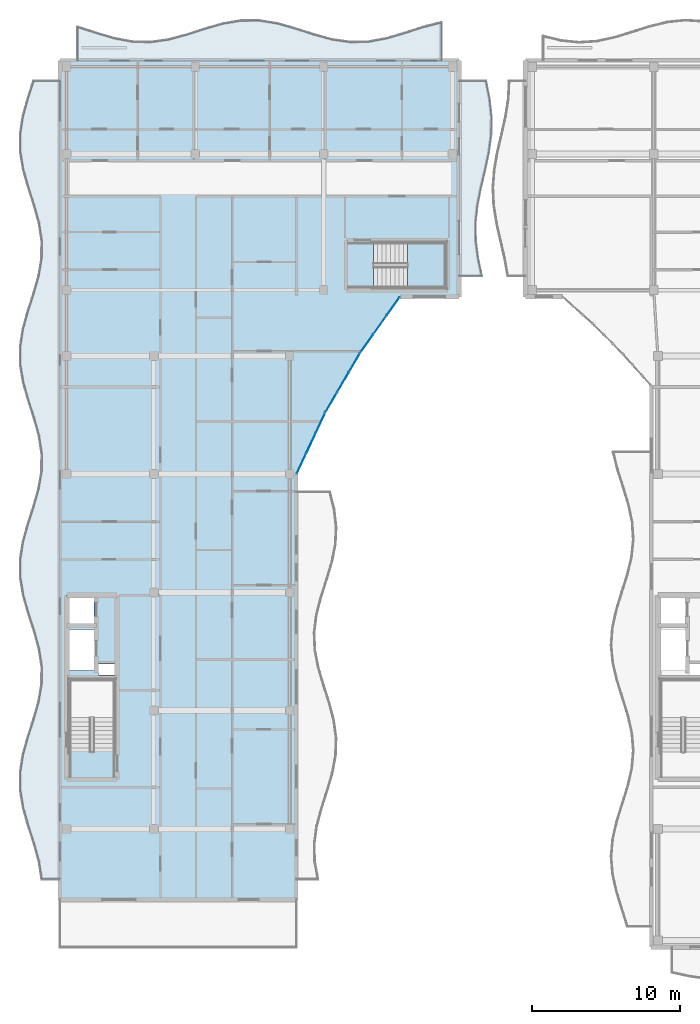
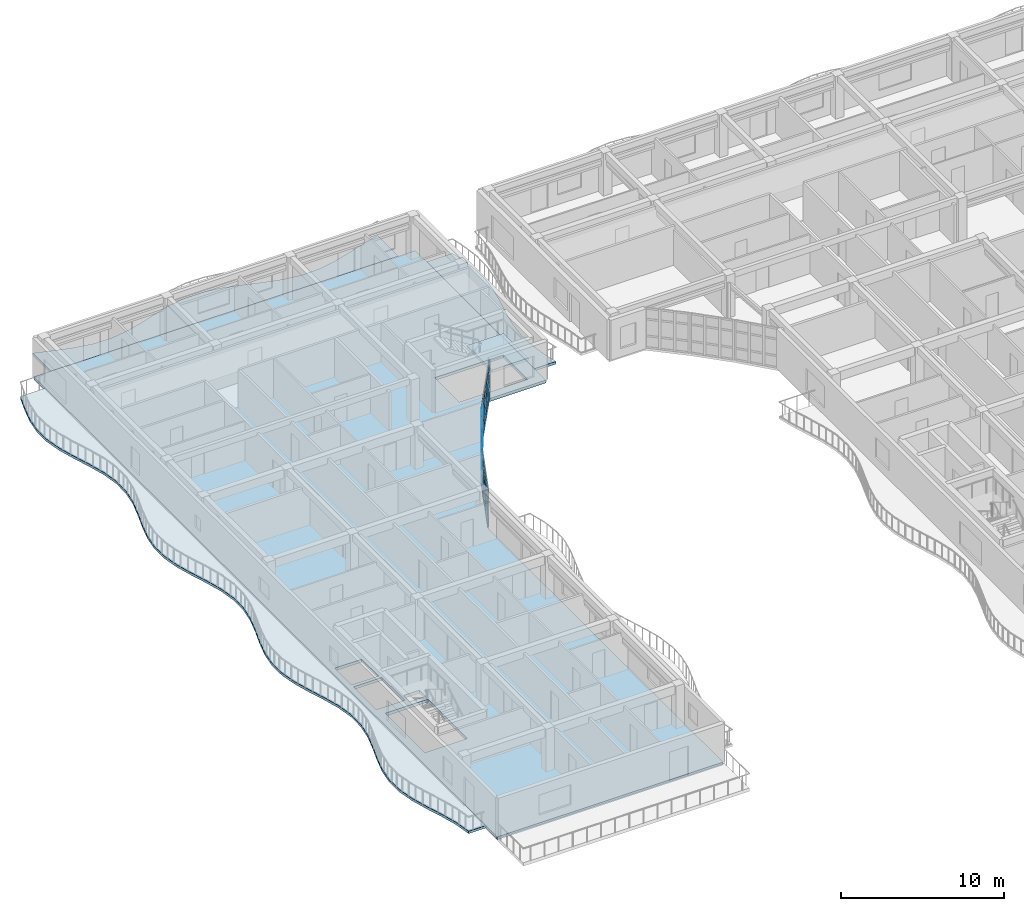
# One storey, part 23 of 72: 27 plates, 5 slabs, 4 elements without a shape of their own.
"""IFC4 building model written with IfcOpenShell, lengths in metres."""

from ifc_helpers import new_model, si_unit, direction, frame, origin, origin_2d, place, context, subcontext, project, spatial, polyline, rectangle, outline, extrude, material, layer, layer_set, type_object, element, aggregate, save


model = new_model("IFC4")

# Units and contexts
model_context = context("Model", 3, precision=1e-05, world=origin(), true_north=direction((0.0, 1.0)))
body_context = subcontext(model_context, "Body", "Model", "MODEL_VIEW")
ifc_project = project(units=[si_unit("LENGTHUNIT", "METRE"), si_unit("AREAUNIT", "SQUARE_METRE"), si_unit("VOLUMEUNIT", "CUBIC_METRE"), si_unit("PLANEANGLEUNIT", "RADIAN"), si_unit("MASSUNIT", "GRAM", prefix="KILO")], contexts=[model_context])

# Site, building, storey
site_placement = place(None, origin())
site = spatial("IfcSite", under=ifc_project, at=site_placement, CompositionType="ELEMENT")
building_placement = place(site_placement, origin())
building = spatial("IfcBuilding", under=site, at=building_placement, Name="Keldmere Railside Commons", CompositionType="ELEMENT")
storey_placement = place(building_placement, frame((0.0, 0.0, 16.9599609375)))
storey = spatial("IfcBuildingStorey", under=building, at=storey_placement, Name="L05", CompositionType="ELEMENT", Elevation=16.9599609375)

# Curtain wall, plates
ifc_material_1 = material(Name="Thermally Broken Aluminium", Category="aluminium")
ifc_layer_1 = layer(ifc_material_1, 0.159912109375, Name="Court Chord Wintergarden CW 4800x2850")
ifc_layer_set_1 = layer_set([ifc_layer_1], Name="Thermally Broken Aluminium")
curtain_wall_type_1 = type_object("IfcCurtainWallType", Name="Court Chord Wintergarden CW 4800x2850", PredefinedType="NOTDEFINED", material=ifc_layer_set_1)
curtain_wall_1_placement = place(storey_placement, origin())
curtain_wall_1 = element("IfcCurtainWall", 1, at=curtain_wall_1_placement, inside=storey, type_object=curtain_wall_type_1, Name="CW-12 CW-L05-016", PredefinedType="NOTDEFINED")
ifc_material_2 = material(Name="Low-E Insulated Double Glazing", Category="glass")
ifc_layer_2 = layer(ifc_material_2, 0.033935546875, Name="Acoustic Laminated Vision Panel 34")
ifc_layer_set_2 = layer_set([ifc_layer_2], Name="Low-E Insulated Double Glazing")
plate_type_1 = type_object("IfcPlateType", Name="Acoustic Laminated Vision Panel 34", PredefinedType="CURTAIN_PANEL", material=ifc_layer_set_2)
plate_1_placement = place(storey_placement, frame((25.636474609375, 91.48779296875, 0.06494140625), z_axis=(0.0, 0.0, 1.0), x_axis=(-0.424759442264, -0.905306255478, 0.0)))
plate_1 = element("IfcPlate", 2, at=plate_1_placement, type_object=plate_type_1, Name="CW-12 panel 1.1", PredefinedType="CURTAIN_PANEL", context=body_context, shape_type="SweptSolid", body=[
    extrude(rectangle(XDim=1.449951171875, YDim=0.033935546875, at=origin_2d()), origin(), (0.0, 0.0, 1.0), 0.802490234375),
])
plate_2_placement = place(storey_placement, frame((25.636474609375, 91.48779296875, 0.9326171875), z_axis=(0.0, 0.0, 1.0), x_axis=(-0.424759442264, -0.905306255478, 0.0)))
plate_2 = element("IfcPlate", 3, at=plate_2_placement, type_object=plate_type_1, Name="CW-12 panel 1.2", PredefinedType="CURTAIN_PANEL", context=body_context, shape_type="SweptSolid", body=[
    extrude(rectangle(XDim=1.449951171875, YDim=0.033935546875, at=origin_2d()), origin(), (0.0, 0.0, 1.0), 1.18505859375),
])
plate_3_placement = place(storey_placement, frame((25.636474609375, 91.48779296875, 2.1826171875), z_axis=(0.0, 0.0, 1.0), x_axis=(-0.424759442264, -0.905306255478, 0.0)))
plate_3 = element("IfcPlate", 4, at=plate_3_placement, type_object=plate_type_1, Name="CW-12 panel 1.3", PredefinedType="CURTAIN_PANEL", context=body_context, shape_type="SweptSolid", body=[
    extrude(rectangle(XDim=1.449951171875, YDim=0.033935546875, at=origin_2d()), origin(), (0.0, 0.0, 1.0), 0.732421875),
])
plate_4_placement = place(storey_placement, frame((24.986083984375, 90.1015625, 0.06494140625), z_axis=(0.0, 0.0, 1.0), x_axis=(-0.424759442264, -0.905306255478, 0.0)))
plate_4 = element("IfcPlate", 5, at=plate_4_placement, type_object=plate_type_1, Name="CW-12 panel 2.1", PredefinedType="CURTAIN_PANEL", context=body_context, shape_type="SweptSolid", body=[
    extrude(rectangle(XDim=1.482421875, YDim=0.033935546875, at=origin_2d()), origin(), (0.0, 0.0, 1.0), 0.802490234375),
])
plate_5_placement = place(storey_placement, frame((24.986083984375, 90.1015625, 0.9326171875), z_axis=(0.0, 0.0, 1.0), x_axis=(-0.424759442264, -0.905306255478, 0.0)))
plate_5 = element("IfcPlate", 6, at=plate_5_placement, type_object=plate_type_1, Name="CW-12 panel 2.2", PredefinedType="CURTAIN_PANEL", context=body_context, shape_type="SweptSolid", body=[
    extrude(rectangle(XDim=1.482421875, YDim=0.033935546875, at=origin_2d()), origin(), (0.0, 0.0, 1.0), 1.18505859375),
])
plate_6_placement = place(storey_placement, frame((24.986083984375, 90.1015625, 2.1826171875), z_axis=(0.0, 0.0, 1.0), x_axis=(-0.424759442264, -0.905306255478, 0.0)))
plate_6 = element("IfcPlate", 7, at=plate_6_placement, type_object=plate_type_1, Name="CW-12 panel 2.3", PredefinedType="CURTAIN_PANEL", context=body_context, shape_type="SweptSolid", body=[
    extrude(rectangle(XDim=1.482421875, YDim=0.033935546875, at=origin_2d()), origin(), (0.0, 0.0, 1.0), 0.732421875),
])
plate_7_placement = place(storey_placement, frame((24.33544921875, 88.71533203125, 0.06494140625), z_axis=(0.0, 0.0, 1.0), x_axis=(-0.424759442264, -0.905306255478, 0.0)))
plate_7 = element("IfcPlate", 8, at=plate_7_placement, type_object=plate_type_1, Name="CW-12 panel 3.1", PredefinedType="CURTAIN_PANEL", context=body_context, shape_type="SweptSolid", body=[
    extrude(rectangle(XDim=1.449951171875, YDim=0.033935546875, at=origin_2d()), origin(), (0.0, 0.0, 1.0), 0.802490234375),
])
plate_8_placement = place(storey_placement, frame((24.33544921875, 88.71533203125, 0.9326171875), z_axis=(0.0, 0.0, 1.0), x_axis=(-0.424759442264, -0.905306255478, 0.0)))
plate_8 = element("IfcPlate", 9, at=plate_8_placement, type_object=plate_type_1, Name="CW-12 panel 3.2", PredefinedType="CURTAIN_PANEL", context=body_context, shape_type="SweptSolid", body=[
    extrude(rectangle(XDim=1.449951171875, YDim=0.033935546875, at=origin_2d()), origin(), (0.0, 0.0, 1.0), 1.18505859375),
])
plate_9_placement = place(storey_placement, frame((24.33544921875, 88.71533203125, 2.1826171875), z_axis=(0.0, 0.0, 1.0), x_axis=(-0.424759442264, -0.905306255478, 0.0)))
plate_9 = element("IfcPlate", 10, at=plate_9_placement, type_object=plate_type_1, Name="CW-12 panel 3.3", PredefinedType="CURTAIN_PANEL", context=body_context, shape_type="SweptSolid", body=[
    extrude(rectangle(XDim=1.449951171875, YDim=0.033935546875, at=origin_2d()), origin(), (0.0, 0.0, 1.0), 0.732421875),
])
aggregate(curtain_wall_1, [plate_1, plate_2, plate_3, plate_4, plate_5, plate_6, plate_7, plate_8, plate_9])

ifc_layer_3 = layer(ifc_material_1, 0.159912109375, Name="Court Chord Wintergarden CW 5400x2850")
ifc_layer_set_3 = layer_set([ifc_layer_3], Name="Thermally Broken Aluminium")
curtain_wall_type_2 = type_object("IfcCurtainWallType", Name="Court Chord Wintergarden CW 5400x2850", PredefinedType="NOTDEFINED", material=ifc_layer_set_3)
curtain_wall_2_placement = place(storey_placement, origin())
curtain_wall_2 = element("IfcCurtainWall", 11, at=curtain_wall_2_placement, inside=storey, type_object=curtain_wall_type_2, Name="CW-13 CW-L05-017", PredefinedType="NOTDEFINED")
ifc_layer_4 = layer(ifc_material_2, 0.031982421875, Name="Clerestory Solar-Control Vision Panel 32")
ifc_layer_set_4 = layer_set([ifc_layer_4], Name="Low-E Insulated Double Glazing")
plate_type_2 = type_object("IfcPlateType", Name="Clerestory Solar-Control Vision Panel 32", PredefinedType="CURTAIN_PANEL", material=ifc_layer_set_4)
plate_10_placement = place(storey_placement, frame((27.913818359375, 95.531494140625, 0.06494140625), z_axis=(0.0, 0.0, 1.0), x_axis=(-0.503911193272, -0.86375546846, 0.0)))
plate_10 = element("IfcPlate", 12, at=plate_10_placement, type_object=plate_type_2, Name="CW-13 panel 1.1", PredefinedType="CURTAIN_PANEL", context=body_context, shape_type="SweptSolid", body=[
    extrude(rectangle(XDim=1.450439453125, YDim=0.031982421875, at=origin_2d()), origin(), (0.0, 0.0, 1.0), 0.802490234375),
])
plate_11_placement = place(storey_placement, frame((27.913818359375, 95.531494140625, 0.9326171875), z_axis=(0.0, 0.0, 1.0), x_axis=(-0.503911193272, -0.86375546846, 0.0)))
plate_11 = element("IfcPlate", 13, at=plate_11_placement, type_object=plate_type_2, Name="CW-13 panel 1.2", PredefinedType="CURTAIN_PANEL", context=body_context, shape_type="SweptSolid", body=[
    extrude(rectangle(XDim=1.450439453125, YDim=0.031982421875, at=origin_2d()), origin(), (0.0, 0.0, 1.0), 1.18505859375),
])
plate_12_placement = place(storey_placement, frame((27.913818359375, 95.531494140625, 2.1826171875), z_axis=(0.0, 0.0, 1.0), x_axis=(-0.503911193272, -0.86375546846, 0.0)))
plate_12 = element("IfcPlate", 14, at=plate_12_placement, type_object=plate_type_2, Name="CW-13 panel 1.3", PredefinedType="CURTAIN_PANEL", context=body_context, shape_type="SweptSolid", body=[
    extrude(rectangle(XDim=1.450439453125, YDim=0.031982421875, at=origin_2d()), origin(), (0.0, 0.0, 1.0), 0.732421875),
])
plate_13_placement = place(storey_placement, frame((27.14208984375, 94.20849609375, 0.06494140625), z_axis=(0.0, 0.0, 1.0), x_axis=(-0.503911193272, -0.86375546846, 0.0)))
plate_13 = element("IfcPlate", 15, at=plate_13_placement, type_object=plate_type_2, Name="CW-13 panel 2.1", PredefinedType="CURTAIN_PANEL", context=body_context, shape_type="SweptSolid", body=[
    extrude(rectangle(XDim=1.48291015625, YDim=0.031982421875, at=origin_2d()), origin(), (0.0, 0.0, 1.0), 0.802490234375),
])
plate_14_placement = place(storey_placement, frame((27.14208984375, 94.20849609375, 0.9326171875), z_axis=(0.0, 0.0, 1.0), x_axis=(-0.503911193272, -0.86375546846, 0.0)))
plate_14 = element("IfcPlate", 16, at=plate_14_placement, type_object=plate_type_2, Name="CW-13 panel 2.2", PredefinedType="CURTAIN_PANEL", context=body_context, shape_type="SweptSolid", body=[
    extrude(rectangle(XDim=1.48291015625, YDim=0.031982421875, at=origin_2d()), origin(), (0.0, 0.0, 1.0), 1.18505859375),
])
plate_15_placement = place(storey_placement, frame((27.14208984375, 94.20849609375, 2.1826171875), z_axis=(0.0, 0.0, 1.0), x_axis=(-0.503911193272, -0.86375546846, 0.0)))
plate_15 = element("IfcPlate", 17, at=plate_15_placement, type_object=plate_type_2, Name="CW-13 panel 2.3", PredefinedType="CURTAIN_PANEL", context=body_context, shape_type="SweptSolid", body=[
    extrude(rectangle(XDim=1.48291015625, YDim=0.031982421875, at=origin_2d()), origin(), (0.0, 0.0, 1.0), 0.732421875),
])
plate_16_placement = place(storey_placement, frame((26.3701171875, 92.885498046875, 0.06494140625), z_axis=(0.0, 0.0, 1.0), x_axis=(-0.503911193272, -0.86375546846, 0.0)))
plate_16 = element("IfcPlate", 18, at=plate_16_placement, type_object=plate_type_2, Name="CW-13 panel 3.1", PredefinedType="CURTAIN_PANEL", context=body_context, shape_type="SweptSolid", body=[
    extrude(rectangle(XDim=1.450439453125, YDim=0.031982421875, at=origin_2d()), origin(), (0.0, 0.0, 1.0), 0.802490234375),
])
plate_17_placement = place(storey_placement, frame((26.3701171875, 92.885498046875, 0.9326171875), z_axis=(0.0, 0.0, 1.0), x_axis=(-0.503911193272, -0.86375546846, 0.0)))
plate_17 = element("IfcPlate", 19, at=plate_17_placement, type_object=plate_type_2, Name="CW-13 panel 3.2", PredefinedType="CURTAIN_PANEL", context=body_context, shape_type="SweptSolid", body=[
    extrude(rectangle(XDim=1.450439453125, YDim=0.031982421875, at=origin_2d()), origin(), (0.0, 0.0, 1.0), 1.18505859375),
])
plate_18_placement = place(storey_placement, frame((26.3701171875, 92.885498046875, 2.1826171875), z_axis=(0.0, 0.0, 1.0), x_axis=(-0.503911193272, -0.86375546846, 0.0)))
plate_18 = element("IfcPlate", 20, at=plate_18_placement, type_object=plate_type_2, Name="CW-13 panel 3.3", PredefinedType="CURTAIN_PANEL", context=body_context, shape_type="SweptSolid", body=[
    extrude(rectangle(XDim=1.450439453125, YDim=0.031982421875, at=origin_2d()), origin(), (0.0, 0.0, 1.0), 0.732421875),
])
aggregate(curtain_wall_2, [plate_10, plate_11, plate_12, plate_13, plate_14, plate_15, plate_16, plate_17, plate_18])

# Stair, slab
ifc_material_3 = material(Name="Concrete H-30 (C30/37)", Category="concrete")
stair_type = type_object("IfcStairType", Name="Residential Core Dogleg Stair 1450", PredefinedType="HALF_TURN_STAIR", material=ifc_material_3)
stair_placement = place(storey_placement, origin())
stair = element("IfcStair", 21, at=stair_placement, inside=storey, type_object=stair_type, Name="L05 Block D Secondary Escape Stair 2", PredefinedType="HALF_TURN_STAIR")
ifc_layer_5 = layer(ifc_material_3, 0.199951171875, Name="Enclosed Stair Landing Slab 200")
ifc_layer_set_5 = layer_set([ifc_layer_5], Name="Concrete H-30 (C30/37)")
slab_type_1 = type_object("IfcSlabType", Name="Enclosed Stair Landing Slab 200", PredefinedType="LANDING", material=ifc_layer_set_5)
slab_1_placement = place(storey_placement, frame((0.0, 0.0, 1.400146484375)))
slab_1 = element("IfcSlab", 22, at=slab_1_placement, type_object=slab_type_1, Name="ST-D2 landing 1", PredefinedType="LANDING", context=body_context, shape_type="SweptSolid", body=[
    extrude(outline(polyline([(31.52001953125, 100.60009765625), (34.10009765625, 100.60009765625), (34.10009765625, 103.64990234375), (31.52001953125, 103.64990234375), (31.52001953125, 100.60009765625)])), origin(), (0.0, 0.0, 1.0), 0.199951171875),
])
aggregate(stair, [slab_1])

# Curtain wall, plates
curtain_wall_3_placement = place(storey_placement, origin())
curtain_wall_3 = element("IfcCurtainWall", 23, at=curtain_wall_3_placement, inside=storey, type_object=curtain_wall_type_1, Name="CW-12 CW-L05-018", PredefinedType="NOTDEFINED")
ifc_layer_6 = layer(ifc_material_2, 0.028076171875, Name="Low-E Vision Glazing Panel 28")
ifc_layer_set_6 = layer_set([ifc_layer_6], Name="Low-E Insulated Double Glazing")
plate_type_3 = type_object("IfcPlateType", Name="Low-E Vision Glazing Panel 28", PredefinedType="CURTAIN_PANEL", material=ifc_layer_set_6)
plate_19_placement = place(storey_placement, frame((30.54248046875, 99.355712890625, 0.06494140625), z_axis=(0.0, 0.0, 1.0), x_axis=(-0.578913327753, -0.815389084395, 0.0)))
plate_19 = element("IfcPlate", 24, at=plate_19_placement, type_object=plate_type_3, Name="CW-12 panel 1.1", PredefinedType="CURTAIN_PANEL", context=body_context, shape_type="SweptSolid", body=[
    extrude(rectangle(XDim=1.4501953125, YDim=0.028076171875, at=origin_2d()), origin(), (0.0, 0.0, 1.0), 0.802490234375),
])
plate_20_placement = place(storey_placement, frame((30.54248046875, 99.355712890625, 0.9326171875), z_axis=(0.0, 0.0, 1.0), x_axis=(-0.578913327753, -0.815389084395, 0.0)))
plate_20 = element("IfcPlate", 25, at=plate_20_placement, type_object=plate_type_3, Name="CW-12 panel 1.2", PredefinedType="CURTAIN_PANEL", context=body_context, shape_type="SweptSolid", body=[
    extrude(rectangle(XDim=1.4501953125, YDim=0.028076171875, at=origin_2d()), origin(), (0.0, 0.0, 1.0), 1.18505859375),
])
plate_21_placement = place(storey_placement, frame((30.54248046875, 99.355712890625, 2.1826171875), z_axis=(0.0, 0.0, 1.0), x_axis=(-0.578913327753, -0.815389084395, 0.0)))
plate_21 = element("IfcPlate", 26, at=plate_21_placement, type_object=plate_type_3, Name="CW-12 panel 1.3", PredefinedType="CURTAIN_PANEL", context=body_context, shape_type="SweptSolid", body=[
    extrude(rectangle(XDim=1.4501953125, YDim=0.028076171875, at=origin_2d()), origin(), (0.0, 0.0, 1.0), 0.732421875),
])
plate_22_placement = place(storey_placement, frame((29.656005859375, 98.10693359375, 0.06494140625), z_axis=(0.0, 0.0, 1.0), x_axis=(-0.578913327753, -0.815389084395, 0.0)))
plate_22 = element("IfcPlate", 27, at=plate_22_placement, type_object=plate_type_3, Name="CW-12 panel 2.1", PredefinedType="CURTAIN_PANEL", context=body_context, shape_type="SweptSolid", body=[
    extrude(rectangle(XDim=1.482666015625, YDim=0.028076171875, at=origin_2d()), origin(), (0.0, 0.0, 1.0), 0.802490234375),
])
plate_23_placement = place(storey_placement, frame((29.656005859375, 98.10693359375, 0.9326171875), z_axis=(0.0, 0.0, 1.0), x_axis=(-0.578913327753, -0.815389084395, 0.0)))
plate_23 = element("IfcPlate", 28, at=plate_23_placement, type_object=plate_type_3, Name="CW-12 panel 2.2", PredefinedType="CURTAIN_PANEL", context=body_context, shape_type="SweptSolid", body=[
    extrude(rectangle(XDim=1.482666015625, YDim=0.028076171875, at=origin_2d()), origin(), (0.0, 0.0, 1.0), 1.18505859375),
])
plate_24_placement = place(storey_placement, frame((29.656005859375, 98.10693359375, 2.1826171875), z_axis=(0.0, 0.0, 1.0), x_axis=(-0.578913327753, -0.815389084395, 0.0)))
plate_24 = element("IfcPlate", 29, at=plate_24_placement, type_object=plate_type_3, Name="CW-12 panel 2.3", PredefinedType="CURTAIN_PANEL", context=body_context, shape_type="SweptSolid", body=[
    extrude(rectangle(XDim=1.482666015625, YDim=0.028076171875, at=origin_2d()), origin(), (0.0, 0.0, 1.0), 0.732421875),
])
plate_25_placement = place(storey_placement, frame((28.769287109375, 96.858154296875, 0.06494140625), z_axis=(0.0, 0.0, 1.0), x_axis=(-0.578913327753, -0.815389084395, 0.0)))
plate_25 = element("IfcPlate", 30, at=plate_25_placement, type_object=plate_type_3, Name="CW-12 panel 3.1", PredefinedType="CURTAIN_PANEL", context=body_context, shape_type="SweptSolid", body=[
    extrude(rectangle(XDim=1.4501953125, YDim=0.028076171875, at=origin_2d()), origin(), (0.0, 0.0, 1.0), 0.802490234375),
])
plate_26_placement = place(storey_placement, frame((28.769287109375, 96.858154296875, 0.9326171875), z_axis=(0.0, 0.0, 1.0), x_axis=(-0.578913327753, -0.815389084395, 0.0)))
plate_26 = element("IfcPlate", 31, at=plate_26_placement, type_object=plate_type_3, Name="CW-12 panel 3.2", PredefinedType="CURTAIN_PANEL", context=body_context, shape_type="SweptSolid", body=[
    extrude(rectangle(XDim=1.4501953125, YDim=0.028076171875, at=origin_2d()), origin(), (0.0, 0.0, 1.0), 1.18505859375),
])
plate_27_placement = place(storey_placement, frame((28.769287109375, 96.858154296875, 2.1826171875), z_axis=(0.0, 0.0, 1.0), x_axis=(-0.578913327753, -0.815389084395, 0.0)))
plate_27 = element("IfcPlate", 32, at=plate_27_placement, type_object=plate_type_3, Name="CW-12 panel 3.3", PredefinedType="CURTAIN_PANEL", context=body_context, shape_type="SweptSolid", body=[
    extrude(rectangle(XDim=1.4501953125, YDim=0.028076171875, at=origin_2d()), origin(), (0.0, 0.0, 1.0), 0.732421875),
])
aggregate(curtain_wall_3, [plate_19, plate_20, plate_21, plate_22, plate_23, plate_24, plate_25, plate_26, plate_27])

# Slabs
ifc_layer_7 = layer(ifc_material_3, 0.219970703125, Name="Residential Flat Slab 220")
ifc_layer_set_7 = layer_set([ifc_layer_7], Name="Concrete H-30 (C30/37)")
slab_type_2 = type_object("IfcSlabType", Name="Residential Flat Slab 220", PredefinedType="FLOOR", material=ifc_layer_set_7)
slab_2_placement = place(storey_placement, frame((0.0, 0.0, -0.219970703125)))
element("IfcSlab", 33, at=slab_2_placement, inside=storey, type_object=slab_type_2, Name="FS-2 BLKD-L05-012", PredefinedType="FLOOR", context=body_context, shape_type="SweptSolid", body=[
    extrude(outline(polyline([(8.0, 59.199951171875), (24.0, 59.199951171875), (24.0, 88.0), (25.971923828125, 92.202880859375), (28.31201171875, 96.214111328125), (31.0, 100.0), (35.0, 100.0), (35.0, 116.0), (8.0, 116.0), (8.0, 59.199951171875)]), holes=[polyline([(11.675048828125, 69.22509765625), (8.675048828125, 69.22509765625), (8.675048828125, 74.074951171875), (11.675048828125, 74.074951171875), (11.675048828125, 69.22509765625)]), polyline([(11.699951171875, 74.419921875), (10.60009765625, 74.419921875), (10.60009765625, 75.159912109375), (11.699951171875, 75.159912109375), (11.699951171875, 74.419921875)]), polyline([(8.39990234375, 74.699951171875), (8.39990234375, 77.5), (10.39990234375, 77.5), (10.39990234375, 74.699951171875), (8.39990234375, 74.699951171875)]), polyline([(10.300048828125, 77.75), (8.39990234375, 77.75), (8.39990234375, 79.800048828125), (10.300048828125, 79.800048828125), (10.300048828125, 77.75)]), polyline([(29.22509765625, 103.625), (34.074951171875, 103.625), (34.074951171875, 100.625), (29.22509765625, 100.625), (29.22509765625, 103.625)])]), origin(), (0.0, 0.0, 1.0), 0.219970703125),
])
ifc_material_4 = material(Name="White Precast Concrete H-35 (C35/45)", Category="concrete")
ifc_layer_8 = layer(ifc_material_4, 0.179931640625, Name="Sinusoidal Wave Balcony Slab 180")
ifc_layer_set_8 = layer_set([ifc_layer_8], Name="White Precast Concrete H-35 (C35/45)")
slab_type_3 = type_object("IfcSlabType", Name="Sinusoidal Wave Balcony Slab 180", PredefinedType="FLOOR", material=ifc_layer_set_8)
slab_3_placement = place(storey_placement, frame((0.0, 0.0, -0.179931640625)))
element("IfcSlab", 34, at=slab_3_placement, inside=storey, type_object=slab_type_3, Name="WB-1 D L05 N Wave Balcony", PredefinedType="FLOOR", context=body_context, shape_type="SweptSolid", body=[
    extrude(outline(polyline([(9.199951171875, 116.0), (10.429931640625, 116.0), (11.659912109375, 116.0), (12.889892578125, 116.0), (14.1201171875, 116.0), (15.35009765625, 116.0), (16.580078125, 116.0), (17.81005859375, 116.0), (19.0400390625, 116.0), (20.27001953125, 116.0), (21.5, 116.0), (22.72998046875, 116.0), (23.9599609375, 116.0), (25.18994140625, 116.0), (26.419921875, 116.0), (27.64990234375, 116.0), (28.8798828125, 116.0), (30.110107421875, 116.0), (31.340087890625, 116.0), (32.570068359375, 116.0), (33.800048828125, 116.0), (33.800048828125, 118.54541015625), (32.570068359375, 118.228759765625), (31.340087890625, 117.83349609375), (30.110107421875, 117.47119140625), (28.8798828125, 117.243408203125), (27.64990234375, 117.214111328125), (26.419921875, 117.39208984375), (25.18994140625, 117.726806640625), (23.9599609375, 118.124267578125), (22.72998046875, 118.47265625), (21.5, 118.67431640625), (20.27001953125, 118.672119140625), (19.0400390625, 118.466796875), (17.81005859375, 118.1162109375), (16.580078125, 117.718994140625), (15.35009765625, 117.38671875), (14.1201171875, 117.212646484375), (12.889892578125, 117.24609375), (11.659912109375, 117.477294921875), (10.429931640625, 117.841552734375), (9.199951171875, 118.236083984375), (9.199951171875, 116.0)])), origin(), (0.0, 0.0, 1.0), 0.179931640625),
])
slab_4_placement = place(storey_placement, frame((0.0, 0.0, -0.179931640625)))
element("IfcSlab", 35, at=slab_4_placement, inside=storey, type_object=slab_type_3, Name="WB-1 D L05 CW Wave Balcony", PredefinedType="FLOOR", context=body_context, shape_type="SweptSolid", body=[
    extrude(outline(polyline([(8.0, 60.60009765625), (8.0, 61.800048828125), (8.0, 63.0), (8.0, 64.199951171875), (8.0, 65.39990234375), (8.0, 66.60009765625), (8.0, 67.800048828125), (8.0, 69.0), (8.0, 70.199951171875), (8.0, 71.39990234375), (8.0, 72.60009765625), (8.0, 73.800048828125), (8.0, 75.0), (8.0, 76.199951171875), (8.0, 77.39990234375), (8.0, 78.60009765625), (8.0, 79.800048828125), (8.0, 81.0), (8.0, 82.199951171875), (8.0, 83.39990234375), (8.0, 84.60009765625), (8.0, 85.800048828125), (8.0, 87.0), (8.0, 88.199951171875), (8.0, 89.39990234375), (8.0, 90.60009765625), (8.0, 91.800048828125), (8.0, 93.0), (8.0, 94.199951171875), (8.0, 95.39990234375), (8.0, 96.60009765625), (8.0, 97.800048828125), (8.0, 99.0), (8.0, 100.199951171875), (8.0, 101.39990234375), (8.0, 102.60009765625), (8.0, 103.800048828125), (8.0, 105.0), (8.0, 106.199951171875), (8.0, 107.39990234375), (8.0, 108.60009765625), (8.0, 109.800048828125), (8.0, 111.0), (8.0, 112.199951171875), (8.0, 113.39990234375), (8.0, 114.60009765625), (6.2265625, 114.60009765625), (5.83837890625, 113.39990234375), (5.507080078125, 112.199951171875), (5.321044921875, 111.0), (5.33056640625, 109.800048828125), (5.53271484375, 108.60009765625), (5.87353515625, 107.39990234375), (6.26171875, 106.199951171875), (6.593017578125, 105.0), (6.77880859375, 103.800048828125), (6.76953125, 102.60009765625), (6.5673828125, 101.39990234375), (6.2265625, 100.199951171875), (5.83837890625, 99.0), (5.507080078125, 97.800048828125), (5.321044921875, 96.60009765625), (5.33056640625, 95.39990234375), (5.53271484375, 94.199951171875), (5.87353515625, 93.0), (6.26171875, 91.800048828125), (6.593017578125, 90.60009765625), (6.77880859375, 89.39990234375), (6.76953125, 88.199951171875), (6.5673828125, 87.0), (6.2265625, 85.800048828125), (5.83837890625, 84.60009765625), (5.507080078125, 83.39990234375), (5.321044921875, 82.199951171875), (5.33056640625, 81.0), (5.53271484375, 79.800048828125), (5.87353515625, 78.60009765625), (6.26171875, 77.39990234375), (6.593017578125, 76.199951171875), (6.77880859375, 75.0), (6.76953125, 73.800048828125), (6.5673828125, 72.60009765625), (6.2265625, 71.39990234375), (5.83837890625, 70.199951171875), (5.507080078125, 69.0), (5.321044921875, 67.800048828125), (5.33056640625, 66.60009765625), (5.53271484375, 65.39990234375), (5.87353515625, 64.199951171875), (6.26171875, 63.0), (6.593017578125, 61.800048828125), (6.77880859375, 60.60009765625), (8.0, 60.60009765625)])), origin(), (0.0, 0.0, 1.0), 0.179931640625),
])
slab_5_placement = place(storey_placement, frame((0.0, 0.0, -0.179931640625)))
element("IfcSlab", 36, at=slab_5_placement, inside=storey, type_object=slab_type_3, Name="WB-1 D L05 WE Wave Balcony", PredefinedType="FLOOR", context=body_context, shape_type="SweptSolid", body=[
    extrude(outline(polyline([(36.5361328125, 101.39990234375), (36.282470703125, 102.60009765625), (36.127197265625, 103.800048828125), (36.11181640625, 105.0), (36.240966796875, 106.199951171875), (36.4794921875, 107.39990234375), (36.763916015625, 108.60009765625), (37.017578125, 109.800048828125), (37.1728515625, 111.0), (37.18798828125, 112.199951171875), (37.05908203125, 113.39990234375), (36.820556640625, 114.60009765625), (35.0, 114.60009765625), (35.0, 113.39990234375), (35.0, 112.199951171875), (35.0, 111.0), (35.0, 109.800048828125), (35.0, 108.60009765625), (35.0, 107.39990234375), (35.0, 106.199951171875), (35.0, 105.0), (35.0, 103.800048828125), (35.0, 102.60009765625), (35.0, 101.39990234375), (36.5361328125, 101.39990234375)])), origin(), (0.0, 0.0, 1.0), 0.179931640625),
])

save(model, "model.ifc")
